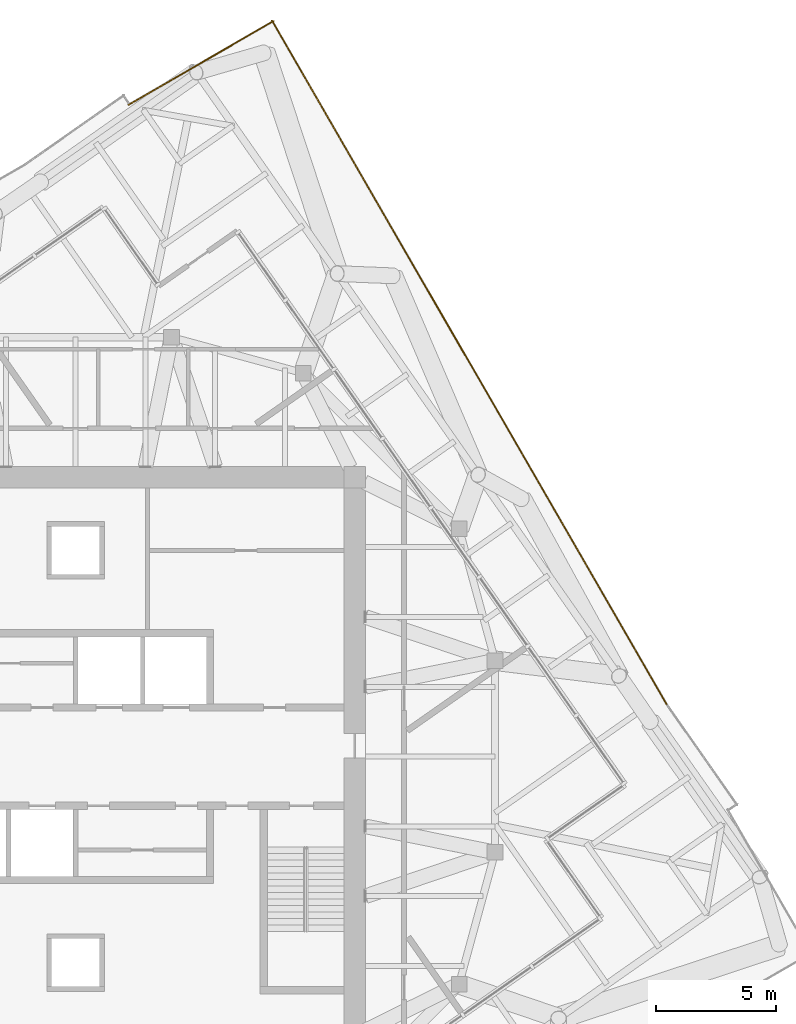
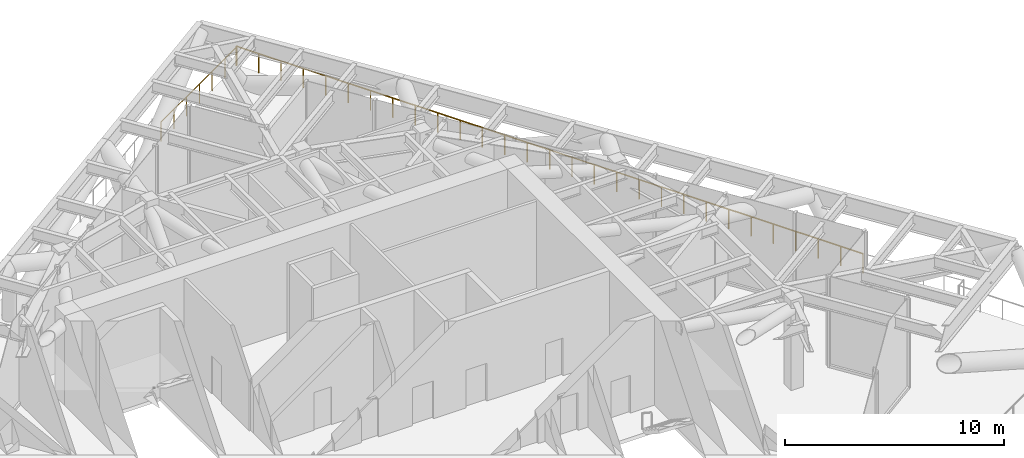
# One storey, part 16 of 16: 2 railings.
"""IFC4 building model written with IfcOpenShell, lengths in metres."""

from ifc_helpers import new_model, si_unit, direction, frame, origin, origin_2d, place, context, subcontext, project, spatial, circle, extrude, material, type_object, element, save


model = new_model("IFC4")

# Units and contexts
model_context = context("Model", 3, precision=1e-05, world=origin(), true_north=direction((0.0, 1.0)))
body_context = subcontext(model_context, "Body", "Model", "MODEL_VIEW")
ifc_project = project(units=[si_unit("LENGTHUNIT", "METRE"), si_unit("AREAUNIT", "SQUARE_METRE"), si_unit("VOLUMEUNIT", "CUBIC_METRE"), si_unit("PLANEANGLEUNIT", "RADIAN"), si_unit("MASSUNIT", "GRAM", prefix="KILO")], contexts=[model_context])

# Site, building, storey
site_placement = place(None, origin())
site = spatial("IfcSite", under=ifc_project, at=site_placement, CompositionType="ELEMENT")
building_placement = place(site_placement, origin())
building = spatial("IfcBuilding", under=site, at=building_placement, Name="Torsade Residences", CompositionType="ELEMENT")
storey_placement = place(building_placement, frame((0.0, 0.0, 235.39990234375)))
storey = spatial("IfcBuildingStorey", under=building, at=storey_placement, Name="L65", CompositionType="ELEMENT", Elevation=235.39990234375)

# Railings
ifc_material = material(Name="Galvanised steel guard rail", Category="steel")
railing_type = type_object("IfcRailingType", Name="ROOF EDGE GUARD 1100", PredefinedType="GUARDRAIL", material=ifc_material)
railing_1_placement = place(storey_placement, frame((64.68798828125, 32.13916015625, 0.0)))
element("IfcRailing", 1, at=railing_1_placement, inside=storey, type_object=railing_type, Name="Roof edge guard L65 8", PredefinedType="GUARDRAIL", context=body_context, shape_type="SweptSolid", body=[
    extrude(circle(Radius=0.02392578125, at=origin_2d()), frame((0.0, 0.0, 1.076171875), z_axis=(-0.49999597811, 0.866027725812, 0.0), x_axis=(-0.866027725812, -0.49999597811, 0.0)), (0.0, 0.0, 1.0), 32.991455078125),
    extrude(circle(Radius=0.02099609375, at=origin_2d()), origin(), (0.0, 0.0, 1.0), 1.052001953125),
    extrude(circle(Radius=0.02099609375, at=origin_2d()), frame((-0.589111328125, 1.0205078125, 0.0)), (0.0, 0.0, 1.0), 1.052001953125),
    extrude(circle(Radius=0.02099609375, at=origin_2d()), frame((-1.17822265625, 2.040771484375, 0.0)), (0.0, 0.0, 1.0), 1.052001953125),
    extrude(circle(Radius=0.02099609375, at=origin_2d()), frame((-1.767333984375, 3.061279296875, 0.0)), (0.0, 0.0, 1.0), 1.052001953125),
    extrude(circle(Radius=0.02099609375, at=origin_2d()), frame((-2.3564453125, 4.08154296875, 0.0)), (0.0, 0.0, 1.0), 1.052001953125),
    extrude(circle(Radius=0.02099609375, at=origin_2d()), frame((-2.945556640625, 5.10205078125, 0.0)), (0.0, 0.0, 1.0), 1.052001953125),
    extrude(circle(Radius=0.02099609375, at=origin_2d()), frame((-3.53466796875, 6.12255859375, 0.0)), (0.0, 0.0, 1.0), 1.052001953125),
    extrude(circle(Radius=0.02099609375, at=origin_2d()), frame((-4.1240234375, 7.142822265625, 0.0)), (0.0, 0.0, 1.0), 1.052001953125),
    extrude(circle(Radius=0.02099609375, at=origin_2d()), frame((-4.713134765625, 8.163330078125, 0.0)), (0.0, 0.0, 1.0), 1.052001953125),
    extrude(circle(Radius=0.02099609375, at=origin_2d()), frame((-5.30224609375, 9.18359375, 0.0)), (0.0, 0.0, 1.0), 1.052001953125),
    extrude(circle(Radius=0.02099609375, at=origin_2d()), frame((-5.891357421875, 10.2041015625, 0.0)), (0.0, 0.0, 1.0), 1.052001953125),
    extrude(circle(Radius=0.02099609375, at=origin_2d()), frame((-6.48046875, 11.224609375, 0.0)), (0.0, 0.0, 1.0), 1.052001953125),
    extrude(circle(Radius=0.02099609375, at=origin_2d()), frame((-7.069580078125, 12.244873046875, 0.0)), (0.0, 0.0, 1.0), 1.052001953125),
    extrude(circle(Radius=0.02099609375, at=origin_2d()), frame((-7.65869140625, 13.265380859375, 0.0)), (0.0, 0.0, 1.0), 1.052001953125),
    extrude(circle(Radius=0.02099609375, at=origin_2d()), frame((-8.247802734375, 14.28564453125, 0.0)), (0.0, 0.0, 1.0), 1.052001953125),
    extrude(circle(Radius=0.02099609375, at=origin_2d()), frame((-8.8369140625, 15.30615234375, 0.0)), (0.0, 0.0, 1.0), 1.052001953125),
    extrude(circle(Radius=0.02099609375, at=origin_2d()), frame((-9.426025390625, 16.32666015625, 0.0)), (0.0, 0.0, 1.0), 1.052001953125),
    extrude(circle(Radius=0.02099609375, at=origin_2d()), frame((-10.01513671875, 17.346923828125, 0.0)), (0.0, 0.0, 1.0), 1.052001953125),
    extrude(circle(Radius=0.02099609375, at=origin_2d()), frame((-10.604248046875, 18.367431640625, 0.0)), (0.0, 0.0, 1.0), 1.052001953125),
    extrude(circle(Radius=0.02099609375, at=origin_2d()), frame((-11.193359375, 19.387939453125, 0.0)), (0.0, 0.0, 1.0), 1.052001953125),
    extrude(circle(Radius=0.02099609375, at=origin_2d()), frame((-11.782470703125, 20.408203125, 0.0)), (0.0, 0.0, 1.0), 1.052001953125),
    extrude(circle(Radius=0.02099609375, at=origin_2d()), frame((-12.37158203125, 21.4287109375, 0.0)), (0.0, 0.0, 1.0), 1.052001953125),
    extrude(circle(Radius=0.02099609375, at=origin_2d()), frame((-12.9609375, 22.448974609375, 0.0)), (0.0, 0.0, 1.0), 1.052001953125),
    extrude(circle(Radius=0.02099609375, at=origin_2d()), frame((-13.550048828125, 23.469482421875, 0.0)), (0.0, 0.0, 1.0), 1.052001953125),
    extrude(circle(Radius=0.02099609375, at=origin_2d()), frame((-14.13916015625, 24.489990234375, 0.0)), (0.0, 0.0, 1.0), 1.052001953125),
    extrude(circle(Radius=0.02099609375, at=origin_2d()), frame((-14.728271484375, 25.51025390625, 0.0)), (0.0, 0.0, 1.0), 1.052001953125),
    extrude(circle(Radius=0.02099609375, at=origin_2d()), frame((-15.3173828125, 26.53076171875, 0.0)), (0.0, 0.0, 1.0), 1.052001953125),
    extrude(circle(Radius=0.02099609375, at=origin_2d()), frame((-15.906494140625, 27.551025390625, 0.0)), (0.0, 0.0, 1.0), 1.052001953125),
    extrude(circle(Radius=0.02099609375, at=origin_2d()), frame((-16.49560546875, 28.571533203125, 0.0)), (0.0, 0.0, 1.0), 1.052001953125),
])
railing_2_placement = place(storey_placement, frame((48.260498046875, 60.6923828125, 0.0)))
element("IfcRailing", 2, at=railing_2_placement, inside=storey, type_object=railing_type, Name="Roof edge guard L65 9", PredefinedType="GUARDRAIL", context=body_context, shape_type="SweptSolid", body=[
    extrude(circle(Radius=0.02392578125, at=origin_2d()), frame((0.0, 0.0, 1.076171875), z_axis=(-0.866015247234, -0.50001759125, 0.0), x_axis=(0.50001759125, -0.866015247234, 0.0)), (0.0, 0.0, 1.0), 6.993408203125),
    extrude(circle(Radius=0.02099609375, at=origin_2d()), origin(), (0.0, 0.0, 1.0), 1.052001953125),
    extrude(circle(Radius=0.02099609375, at=origin_2d()), frame((-1.00927734375, -0.582763671875, 0.0)), (0.0, 0.0, 1.0), 1.052001953125),
    extrude(circle(Radius=0.02099609375, at=origin_2d()), frame((-2.018798828125, -1.16552734375, 0.0)), (0.0, 0.0, 1.0), 1.052001953125),
    extrude(circle(Radius=0.02099609375, at=origin_2d()), frame((-3.0283203125, -1.74853515625, 0.0)), (0.0, 0.0, 1.0), 1.052001953125),
    extrude(circle(Radius=0.02099609375, at=origin_2d()), frame((-4.03759765625, -2.331298828125, 0.0)), (0.0, 0.0, 1.0), 1.052001953125),
    extrude(circle(Radius=0.02099609375, at=origin_2d()), frame((-5.046875, -2.9140625, 0.0)), (0.0, 0.0, 1.0), 1.052001953125),
    extrude(circle(Radius=0.02099609375, at=origin_2d()), frame((-6.056396484375, -3.496826171875, 0.0)), (0.0, 0.0, 1.0), 1.052001953125),
])

save(model, "model.ifc")
